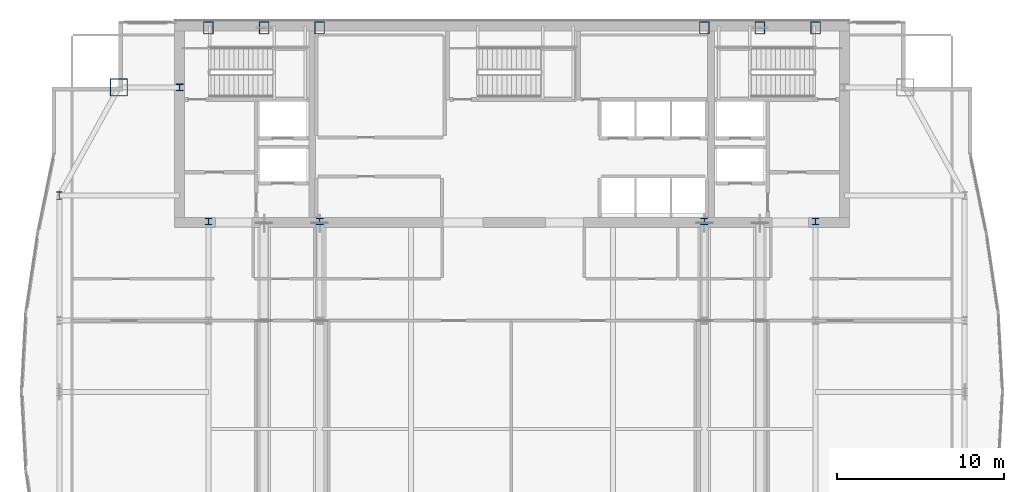
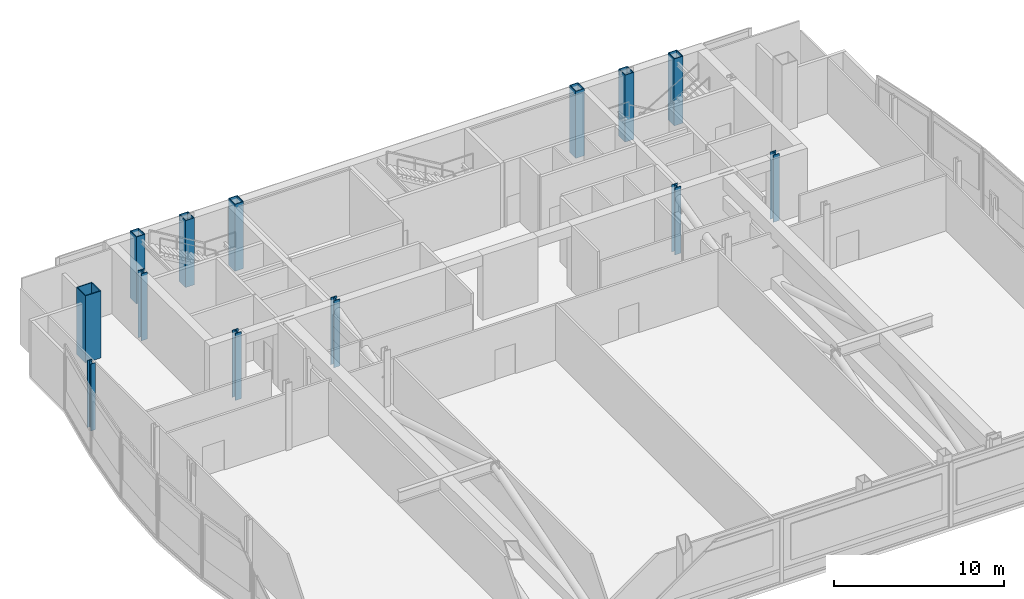
# One storey, part 3 of 32: 13 columns.
"""IFC4 building model written with IfcOpenShell, lengths in metres."""

import ifcopenshell
import ifcopenshell.guid

model = None  # the IFC model being written
_history = None  # IfcOwnerHistory: only IFC2X3 demands one
_inside = {}  # id of a spatial element -> (the spatial element, [elements in it])
_under = {}  # id of a project, library or spatial element -> (it, [spatial elements below it])
_declared = {}  # id of a project -> (the project, [libraries it declares])
_typed = {}  # id of a type object -> (the type object, [elements of that type])
_made_of = {}  # id of a material, layer set ... -> (it, [elements and type objects made of it])


def new_model(schema):
    """Start an empty IFC model of exactly this schema.

    Asked for "IFC4X3", IfcOpenShell would pick the latest addendum, in which some entities
    have other attributes; the version numbers below select the first issue.
    IFC2X3 requires an IfcOwnerHistory on every rooted entity: one is made here for all.
    """
    global model, _history
    if schema == "IFC4X3":
        model = ifcopenshell.file(schema_version=(4, 3, 0, 0))
    else:
        model = ifcopenshell.file(schema=schema)
    _inside.clear()
    _under.clear()
    _declared.clear()
    _typed.clear()
    _made_of.clear()
    _history = None
    if model.schema == "IFC2X3":
        org = make("IfcOrganization", Name="unknown")
        user = make(
            "IfcPersonAndOrganization",
            ThePerson=make("IfcPerson", FamilyName="unknown"),
            TheOrganization=org,
        )
        app = make(
            "IfcApplication",
            ApplicationDeveloper=org,
            Version="unknown",
            ApplicationFullName="unknown",
            ApplicationIdentifier="unknown",
        )
        _history = make(
            "IfcOwnerHistory",
            OwningUser=user,
            OwningApplication=app,
            ChangeAction="ADDED",
            CreationDate=0,
        )
    return model


def make(cls, **values):
    """One entity of the class cls with the attributes given. An attribute that is None is left unset."""
    return model.create_entity(
        cls, **{name: value for name, value in values.items() if value is not None}
    )


def rooted(cls, **values):
    """An entity with a GlobalId (a new one), such as an element, a storey or a relation."""
    return make(cls, GlobalId=ifcopenshell.guid.new(), OwnerHistory=_history, **values)


def si_unit(unit_type, name, prefix=None):
    """IfcSIUnit, for example si_unit("LENGTHUNIT", "METRE", prefix="MILLI")."""
    return make("IfcSIUnit", UnitType=unit_type, Prefix=prefix, Name=name)


def assignment(units):
    """IfcUnitAssignment: the units of a project."""
    return None if units is None else make("IfcUnitAssignment", Units=units)


def point(xyz):
    """IfcCartesianPoint."""
    return None if xyz is None else make("IfcCartesianPoint", Coordinates=xyz)


def direction(xyz):
    """IfcDirection."""
    return None if xyz is None else make("IfcDirection", DirectionRatios=xyz)


def frame(location, z_axis=None, x_axis=None):
    """IfcAxis2Placement3D, a coordinate frame: its origin and axes. An axis left out is left unset."""
    return make(
        "IfcAxis2Placement3D",
        Location=point(location),
        Axis=direction(z_axis),
        RefDirection=direction(x_axis),
    )


def frame_2d(location, x_axis=None):
    """IfcAxis2Placement2D, a coordinate frame in the plane: its origin and x axis."""
    return make(
        "IfcAxis2Placement2D", Location=point(location), RefDirection=direction(x_axis)
    )


def origin():
    """The frame at (0, 0, 0) with its axes left unset."""
    return frame((0.0, 0.0, 0.0))


def origin_2d():
    """The frame at (0, 0) in the plane with its x axis left unset."""
    return frame_2d((0.0, 0.0))


def place(relative_to, where):
    """IfcLocalPlacement: puts the frame where relative to a parent placement (None: the world)."""
    return make(
        "IfcLocalPlacement", PlacementRelTo=relative_to, RelativePlacement=where
    )


def context(
    kind, dimensions, precision=None, world=None, true_north=None, identifier=None
):
    """IfcGeometricRepresentationContext, for example the 3D "Model" context."""
    return make(
        "IfcGeometricRepresentationContext",
        ContextIdentifier=identifier,
        ContextType=kind,
        CoordinateSpaceDimension=dimensions,
        Precision=precision,
        WorldCoordinateSystem=world,
        TrueNorth=true_north,
    )


def subcontext(parent, identifier, kind, view, scale=None):
    """IfcGeometricRepresentationSubContext, for example "Body" below "Model"."""
    return make(
        "IfcGeometricRepresentationSubContext",
        ContextIdentifier=identifier,
        ContextType=kind,
        ParentContext=parent,
        TargetScale=scale,
        TargetView=view,
    )


def project(units=None, contexts=None):
    """IfcProject with its units and contexts."""
    return rooted(
        "IfcProject",
        Name="project",
        RepresentationContexts=contexts,
        UnitsInContext=assignment(units),
    )


def spatial(cls, under=None, at=None, **own):
    """A site, building, storey or space (cls), placed at a placement, below another one or the project."""
    s = rooted(cls, ObjectPlacement=at, **own)
    if under is not None:
        _under.setdefault(under.id(), (under, []))[1].append(s)
    return s


def profile(cls, at=None, kind="AREA", **sizes):
    """A parametric profile (cls). Its sizes go by their IFC names, for example OverallWidth=200.0."""
    return make(cls, ProfileType=kind, Position=at, **sizes)


def hollow_rectangle(**sizes):
    """IfcRectangleHollowProfileDef."""
    return profile("IfcRectangleHollowProfileDef", **sizes)


def i_section(**sizes):
    """IfcIShapeProfileDef."""
    return profile("IfcIShapeProfileDef", **sizes)


def extrude(swept, where, along, depth):
    """IfcExtrudedAreaSolid: the profile swept, set in the frame where, extruded along a direction by depth."""
    return make(
        "IfcExtrudedAreaSolid",
        SweptArea=swept,
        Position=where,
        ExtrudedDirection=direction(along),
        Depth=depth,
    )


def shape(context_of_items, identifier, shape_type, items):
    """IfcShapeRepresentation: the items that make up one representation, for example the "Body"."""
    return make(
        "IfcShapeRepresentation",
        ContextOfItems=context_of_items,
        RepresentationIdentifier=identifier,
        RepresentationType=shape_type,
        Items=items,
    )


def material(Name=None, Category=None):
    """IfcMaterial."""
    return make("IfcMaterial", Name=Name, Category=Category)


def material_profile(
    of_material, cross_section, Name=None, Category=None, Priority=None
):
    """IfcMaterialProfile: a cross section and its material."""
    return make(
        "IfcMaterialProfile",
        Name=Name,
        Material=of_material,
        Profile=cross_section,
        Priority=Priority,
        Category=Category,
    )


def profile_set(profiles, Name=None, composite=None):
    """IfcMaterialProfileSet."""
    return make(
        "IfcMaterialProfileSet",
        Name=Name,
        MaterialProfiles=profiles,
        CompositeProfile=composite,
    )


def made_of(thing, what):
    """Note that an element or type object is made of a material, layer set ...; save() writes the relation."""
    if what is not None:
        _made_of.setdefault(what.id(), (what, []))[1].append(thing)
    return thing


def type_object(cls, material=None, **own):
    """A type object (cls), such as IfcWallType, which elements share."""
    return made_of(rooted(cls, **own), material)


def element(
    cls,
    number,
    at=None,
    inside=None,
    cuts=None,
    type_object=None,
    material=None,
    context=None,
    identifier="Body",
    shape_type=None,
    held_by="IfcProductDefinitionShape",
    body=None,
    shapes=None,
    **own,
):
    """One element of the class cls, such as IfcWall. Its Tag is "e" and its number.

    at: its placement. inside: the storey or other place that contains it. cuts: it is an
    opening in that element (IfcRelVoidsElement). A single representation is given by context,
    identifier, shape_type and body (its items); several are given by shapes. held_by: the class
    of the entity that holds the representations. save() writes the other relations.
    """
    e = rooted(cls, Tag="e%d" % number, ObjectPlacement=at, **own)
    if body is not None:
        shapes = [shape(context, identifier, shape_type, body)]
    if shapes is not None:
        e.Representation = make(held_by, Representations=shapes)
    if inside is not None:
        _inside.setdefault(inside.id(), (inside, []))[1].append(e)
    if cuts is not None:
        rooted(
            "IfcRelVoidsElement", RelatingBuildingElement=cuts, RelatedOpeningElement=e
        )
    if type_object is not None:
        _typed.setdefault(type_object.id(), (type_object, []))[1].append(e)
    return made_of(e, material)


def aggregate(whole, parts):
    """IfcRelAggregates: a whole, such as a stair, and the parts it consists of."""
    return rooted("IfcRelAggregates", RelatingObject=whole, RelatedObjects=parts)


def save(model, path):
    """Write the relations noted so far, then the file.

    IfcRelAggregates (storeys below a building ...), IfcRelContainedInSpatialStructure (elements
    in a storey), IfcRelDefinesByType, IfcRelAssociatesMaterial and IfcRelDeclares: one each for
    every whole, place, type object, material and project.
    """
    for whole, parts in _under.values():
        aggregate(whole, parts)
    for where, things in _inside.values():
        rooted(
            "IfcRelContainedInSpatialStructure",
            RelatedElements=things,
            RelatingStructure=where,
        )
    for kind, things in _typed.values():
        rooted("IfcRelDefinesByType", RelatedObjects=things, RelatingType=kind)
    for what, things in _made_of.values():
        rooted("IfcRelAssociatesMaterial", RelatedObjects=things, RelatingMaterial=what)
    for by, libraries in _declared.values():
        rooted("IfcRelDeclares", RelatingContext=by, RelatedDefinitions=libraries)
    model.write(path)


model = new_model("IFC4")

# Units and contexts
model_context = context("Model", 3, precision=1e-05, world=origin(), true_north=direction((0.0, 1.0)))
body_context = subcontext(model_context, "Body", "Model", "MODEL_VIEW")
ifc_project = project(units=[si_unit("LENGTHUNIT", "METRE"), si_unit("AREAUNIT", "SQUARE_METRE"), si_unit("VOLUMEUNIT", "CUBIC_METRE"), si_unit("PLANEANGLEUNIT", "RADIAN"), si_unit("MASSUNIT", "GRAM", prefix="KILO")], contexts=[model_context])

# Site, building, storey
site_placement = place(None, origin())
site = spatial("IfcSite", under=ifc_project, at=site_placement, CompositionType="ELEMENT")
building_placement = place(site_placement, origin())
building = spatial("IfcBuilding", under=site, at=building_placement, Name="Khoronbel Lancet Exchange", CompositionType="ELEMENT")
storey_placement = place(building_placement, frame((0.0, 0.0, 257.0)))
storey = spatial("IfcBuildingStorey", under=building, at=storey_placement, Name="L66", CompositionType="ELEMENT", Elevation=257.0)

# Columns
ifc_material_1 = material(Name="Steel S460", Category="steel")
ifc_material_profile_1 = material_profile(ifc_material_1, hollow_rectangle(XDim=0.60009765625, YDim=0.75, WallThickness=0.044921875, at=origin_2d()), Name="BOX 750x600x45")
ifc_profile_set_1 = profile_set([ifc_material_profile_1], Name="Steel S460")
column_type_1 = type_object("IfcColumnType", Name="COL-EC3", PredefinedType="COLUMN", material=ifc_profile_set_1)
for number, where, z_axis, x_axis, name in (
    (1, (18.22509765625, 53.280029296875, 0.0), (0.0, 0.0, 1.0), (1.0, 0.0, 0.0), "Structural column NC-W1 L66"),
    (2, (21.5625, 53.280029296875, 0.0), (0.0, 0.0, 1.0), (1.0, 0.0, 0.0), "Structural column NC-WM L66"),
    (3, (24.89990234375, 53.280029296875, 0.0), (0.0, 0.0, 1.0), (1.0, 0.0, 0.0), "Structural column NC-W2 L66"),
    (4, (48.0, 53.280029296875, 0.0), (0.0, 0.0, 1.0), (1.0, 0.0, 0.0), "Structural column NC-E1 L66"),
    (5, (51.33740234375, 53.280029296875, 0.0), (0.0, 0.0, 1.0), (1.0, 0.0, 0.0), "Structural column NC-EM L66"),
    (6, (54.675048828125, 53.280029296875, 0.0), (0.0, 0.0, 1.0), (1.0, 0.0, 0.0), "Structural column NC-E2 L66"),
):
    element("IfcColumn", number, at=place(storey_placement, frame(where, z_axis=z_axis, x_axis=x_axis)), inside=storey, type_object=column_type_1, Name=name, PredefinedType="COLUMN", context=body_context, shape_type="SweptSolid", body=[
        extrude(hollow_rectangle(XDim=0.60009765625, YDim=0.75, WallThickness=0.044921875, at=origin_2d()), origin(), (0.0, 0.0, 1.0), 4.800048828125),
    ])
ifc_material_2 = material(Name="Steel S355", Category="steel")
ifc_material_profile_2 = material_profile(ifc_material_2, i_section(OverallWidth=0.406005859375, OverallDepth=0.416015625, WebThickness=0.02978515625, FlangeThickness=0.048095703125, at=origin_2d()), Name="HD 400x382")
ifc_profile_set_2 = profile_set([ifc_material_profile_2], Name="Steel S355")
column_type_2 = type_object("IfcColumnType", Name="COL-IC3", PredefinedType="COLUMN", material=ifc_profile_set_2)
for number, where, z_axis, x_axis, name in (
    (7, (16.5, 49.699951171875, 0.0), (0.0, 0.0, 1.0), (1.0, 0.0, 0.0), "Core-flank plumb transfer column CFW L66"),
    (8, (18.22509765625, 41.64990234375, 0.0), (0.0, 0.0, 1.0), (1.0, 0.0, 0.0), "Core-embedded steel column CTC1 L66"),
    (9, (24.89990234375, 41.64990234375, 0.0), (0.0, 0.0, 1.0), (1.0, 0.0, 0.0), "Core-embedded steel column CTC2 L66"),
    (10, (48.0, 41.64990234375, 0.0), (0.0, 0.0, 1.0), (1.0, 0.0, 0.0), "Core-embedded steel column CTC3 L66"),
    (11, (54.675048828125, 41.64990234375, 0.0), (0.0, 0.0, 1.0), (1.0, 0.0, 0.0), "Core-embedded steel column CTC4 L66"),
):
    element("IfcColumn", number, at=place(storey_placement, frame(where, z_axis=z_axis, x_axis=x_axis)), inside=storey, type_object=column_type_2, Name=name, PredefinedType="COLUMN", context=body_context, shape_type="SweptSolid", body=[
        extrude(i_section(OverallWidth=0.406005859375, OverallDepth=0.416015625, WebThickness=0.02978515625, FlangeThickness=0.048095703125, at=origin_2d()), origin(), (0.0, 0.0, 1.0), 4.800048828125),
    ])
ifc_material_profile_3 = material_profile(ifc_material_2, i_section(OverallWidth=0.300048828125, OverallDepth=0.449951171875, WebThickness=0.013916015625, FlangeThickness=0.02587890625, at=origin_2d()), Name="HEB 450")
ifc_profile_set_3 = profile_set([ifc_material_profile_3], Name="Steel S355")
column_type_3 = type_object("IfcColumnType", Name="COL-LC2", PredefinedType="COLUMN", material=ifc_profile_set_3)
column_1_placement = place(storey_placement, frame((9.27001953125, 43.199951171875, 0.0), z_axis=(0.0, 0.0, 1.0), x_axis=(1.0, 0.0, 0.0)))
element("IfcColumn", 12, at=column_1_placement, inside=storey, type_object=column_type_3, Name="Structural column WC-4 L66", PredefinedType="COLUMN", context=body_context, shape_type="SweptSolid", body=[
    extrude(i_section(OverallWidth=0.300048828125, OverallDepth=0.449951171875, WebThickness=0.013916015625, FlangeThickness=0.02587890625, at=origin_2d()), origin(), (0.0, 0.0, 1.0), 4.800048828125),
])
ifc_material_profile_4 = material_profile(ifc_material_1, hollow_rectangle(XDim=1.050048828125, YDim=1.050048828125, WallThickness=0.054931640625, at=origin_2d()), Name="BOX 1050x1050x55")
ifc_profile_set_4 = profile_set([ifc_material_profile_4], Name="Steel S460")
column_type_4 = type_object("IfcColumnType", Name="COL-MC6", PredefinedType="COLUMN", material=ifc_profile_set_4)
column_2_placement = place(storey_placement, frame((12.85009765625, 49.699951171875, 0.0), z_axis=(0.0, 0.0, 1.0), x_axis=(1.0, 0.0, 0.0)))
element("IfcColumn", 13, at=column_2_placement, inside=storey, type_object=column_type_4, Name="Structural column MC-NW L66", PredefinedType="COLUMN", context=body_context, shape_type="SweptSolid", body=[
    extrude(hollow_rectangle(XDim=1.050048828125, YDim=1.050048828125, WallThickness=0.054931640625, at=origin_2d()), origin(), (0.0, 0.0, 1.0), 4.800048828125),
])

save(model, "model.ifc")
